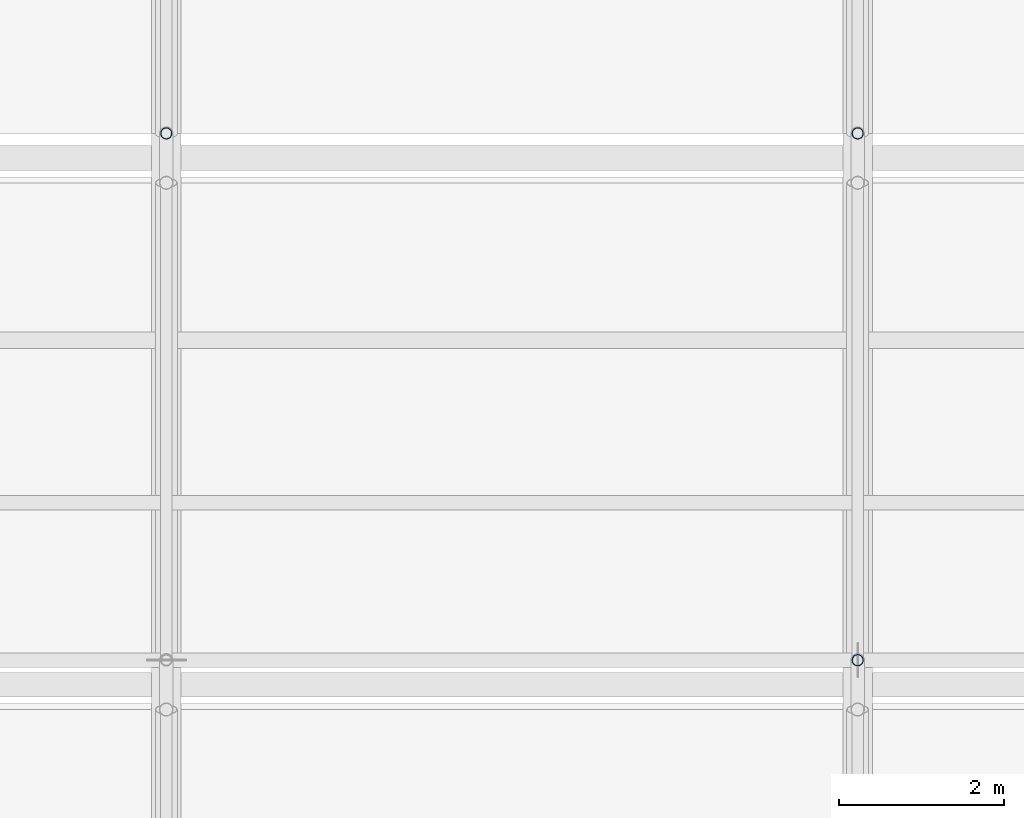
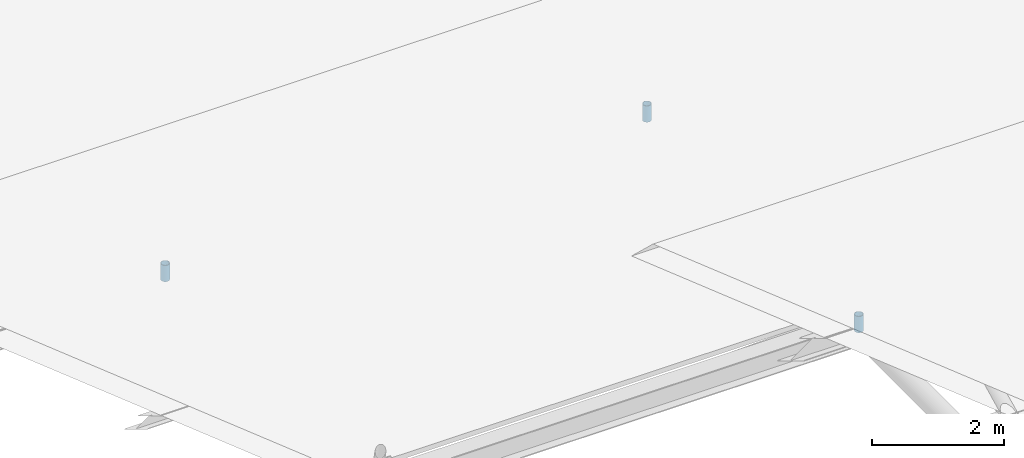
# One storey, part 124 of 194: 3 members.
"""IFC4 building model written with IfcOpenShell, lengths in metres."""

from ifc_helpers import new_model, si_unit, direction, frame, origin, origin_2d, place, context, subcontext, project, spatial, hollow_circle, extrude, material, material_profile, profile_set, type_object, element, save


model = new_model("IFC4")

# Units and contexts
model_context = context("Model", 3, precision=1e-05, world=origin(), true_north=direction((0.0, 1.0)))
body_context = subcontext(model_context, "Body", "Model", "MODEL_VIEW")
ifc_project = project(units=[si_unit("LENGTHUNIT", "METRE"), si_unit("AREAUNIT", "SQUARE_METRE"), si_unit("VOLUMEUNIT", "CUBIC_METRE"), si_unit("PLANEANGLEUNIT", "RADIAN"), si_unit("MASSUNIT", "GRAM", prefix="KILO")], contexts=[model_context])

# Site, building, storey
site_placement = place(None, origin())
site = spatial("IfcSite", under=ifc_project, at=site_placement, CompositionType="ELEMENT")
building_placement = place(site_placement, origin())
building = spatial("IfcBuilding", under=site, at=building_placement, Name="Kazenagashi Tramway Depot", CompositionType="ELEMENT")
storey_placement = place(building_placement, frame((0.0, 0.0, 23.7)))
storey = spatial("IfcBuildingStorey", under=building, at=storey_placement, Name="ROOF", CompositionType="ELEMENT", Elevation=23.7)

# Members
ifc_material = material(Name="Steel STK490", Category="steel")
ifc_material_profile = material_profile(ifc_material, hollow_circle(Radius=0.0699, WallThickness=0.0066, at=origin_2d()), Name="CHS-139.8x6.6")
ifc_profile_set = profile_set([ifc_material_profile], Name="Steel STK490")
member_type = type_object("IfcMemberType", Name="TS-02", PredefinedType="STRUT", material=ifc_profile_set)
for number, where, z_axis, x_axis, name in (
    (1, (86.8, 42.1, -8.9), (0.0, 0.0, 1.0), (1.0, 0.0, 0.0), "Roof Truss TS-02 MEM-1311"),
    (2, (95.2, 35.7, -8.9), (0.0, 0.0, 1.0), (1.0, 0.0, 0.0), "Roof Truss TS-02 MEM-1335"),
    (3, (95.2, 42.1, -8.9), (0.0, 0.0, 1.0), (1.0, 0.0, 0.0), "Roof Truss TS-02 MEM-1340"),
):
    element("IfcMember", number, at=place(storey_placement, frame(where, z_axis=z_axis, x_axis=x_axis)), inside=storey, type_object=member_type, Name=name, PredefinedType="STRUT", context=body_context, shape_type="SweptSolid", body=[
        extrude(hollow_circle(Radius=0.0699, WallThickness=0.0066, at=origin_2d()), origin(), (0.0, 0.0, 1.0), 0.3),
    ])

save(model, "model.ifc")
